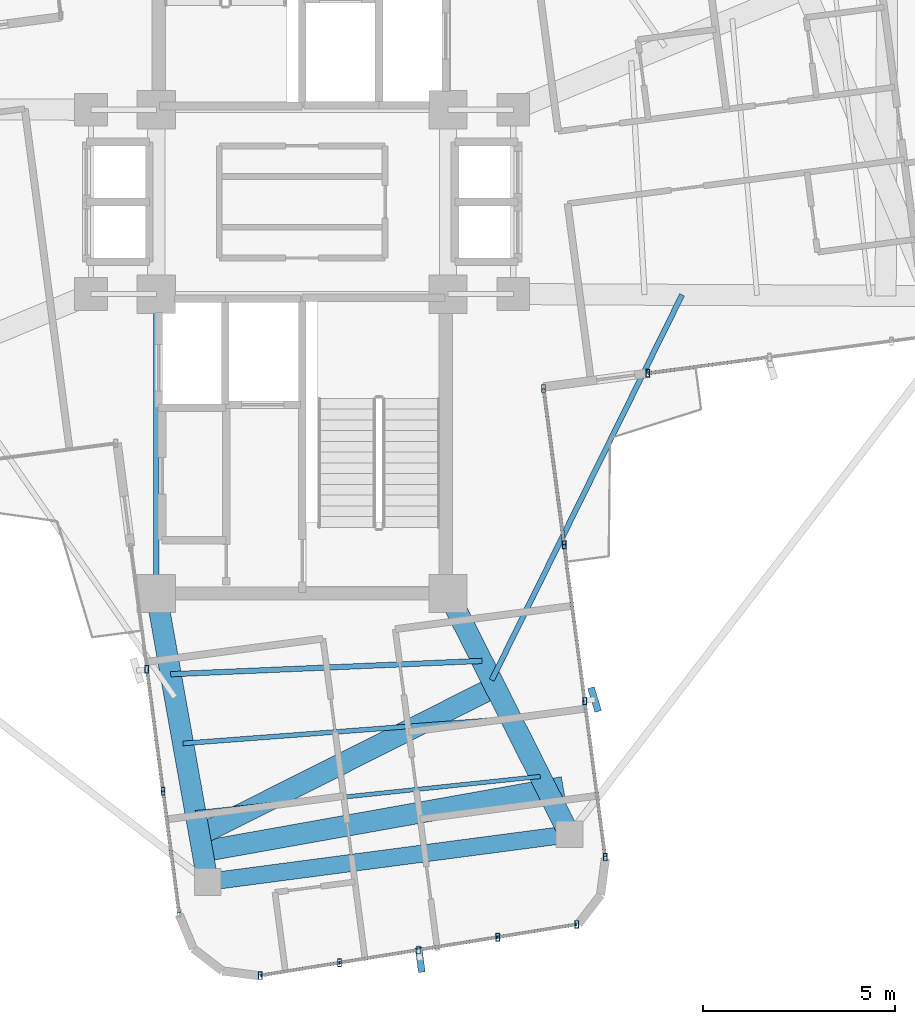
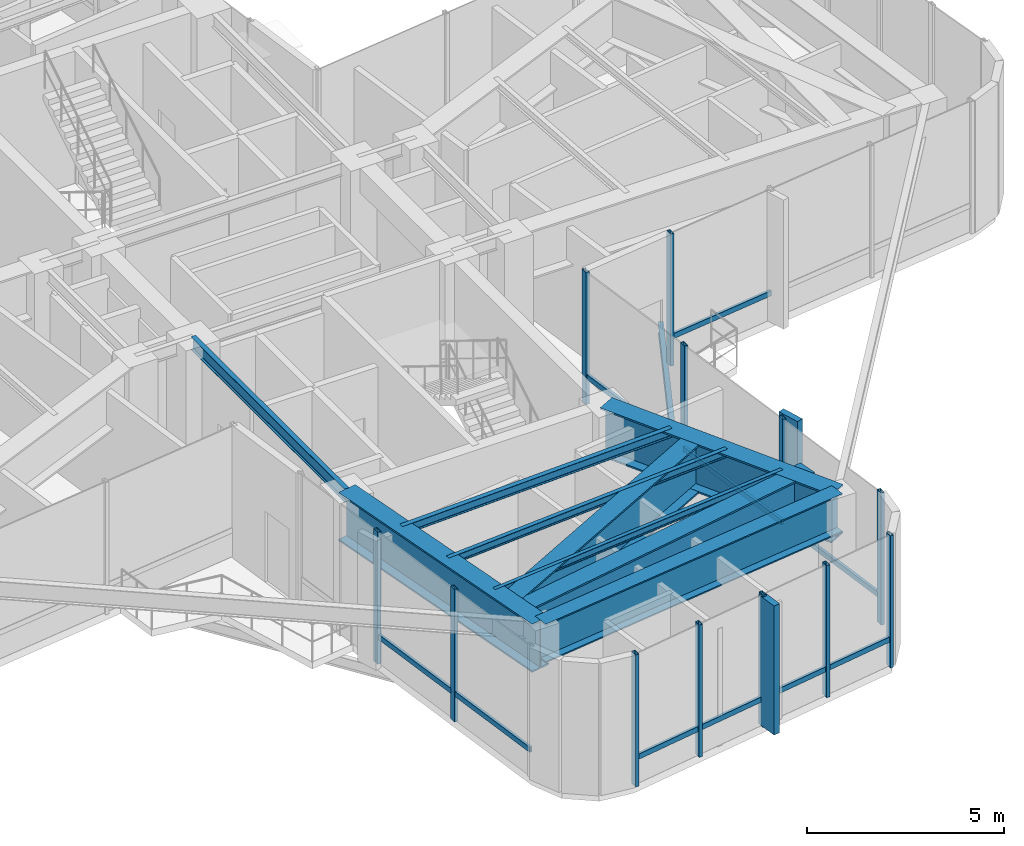
# One storey, part 3 of 18: 24 members, 10 beams, 4 elements without a shape of their own.
"""IFC4 building model written with IfcOpenShell, lengths in metres."""

from ifc_helpers import new_model, si_unit, direction, frame, origin, origin_2d, place, context, subcontext, project, spatial, rectangle, hollow_rectangle, i_section, extrude, source, transform, mapped, material, material_profile, profile_set, type_object, element, aggregate, save


model = new_model("IFC4")

# Units and contexts
model_context = context("Model", 3, precision=1e-05, world=origin(), true_north=direction((0.0, 1.0)))
body_context = subcontext(model_context, "Body", "Model", "MODEL_VIEW")
ifc_project = project(units=[si_unit("LENGTHUNIT", "METRE"), si_unit("AREAUNIT", "SQUARE_METRE"), si_unit("VOLUMEUNIT", "CUBIC_METRE"), si_unit("PLANEANGLEUNIT", "RADIAN"), si_unit("MASSUNIT", "GRAM", prefix="KILO")], contexts=[model_context])

# Site, building, storey
site_placement = place(None, origin())
site = spatial("IfcSite", under=ifc_project, at=site_placement, CompositionType="ELEMENT")
building_placement = place(site_placement, origin())
building = spatial("IfcBuilding", under=site, at=building_placement, Name="Sahyath Konkavel Grand Hotel", CompositionType="ELEMENT")
storey_placement = place(building_placement, frame((0.0, 0.0, 275.800048828125)))
storey = spatial("IfcBuildingStorey", under=building, at=storey_placement, Name="L77", CompositionType="ELEMENT", Elevation=275.800048828125)

# Beams
ifc_material_1 = material(Name="Steel E350", Category="steel")
ifc_material_profile_1 = material_profile(ifc_material_1, i_section(OverallWidth=0.139892578125, OverallDepth=0.39990234375, WebThickness=0.0087890625, FlangeThickness=0.01611328125, FilletRadius=0.013916015625, at=origin_2d()), Name="ISMB 400")
ifc_profile_set_1 = profile_set([ifc_material_profile_1], Name="Steel E350")
beam_type_1 = type_object("IfcBeamType", Name="BM-ISMB400", PredefinedType="BEAM", material=ifc_profile_set_1)
shared_shape_1 = source(origin(), body_context, "Body", "SweptSolid", [
    extrude(i_section(OverallWidth=0.139892578125, OverallDepth=0.39990234375, WebThickness=0.0087890625, FlangeThickness=0.01611328125, FilletRadius=0.013916015625, at=origin_2d()), origin(), (0.0, 0.0, 1.0), 7.800048828125),
])
beam_1_placement = place(storey_placement, frame((-3.800048828125, -10.199951171875, 3.89990234375), z_axis=(0.0, 1.0, 0.0), x_axis=(-1.0, 0.0, 0.0)))
element("IfcBeam", 1, at=beam_1_placement, inside=storey, type_object=beam_type_1, Name="str:bm:L77:SC-W", PredefinedType="BEAM", context=body_context, shape_type="MappedRepresentation", body=[
    mapped(shared_shape_1, transform((0.0, 0.0, 0.0), scale=1.0)),
])
ifc_material_profile_2 = material_profile(ifc_material_1, i_section(OverallWidth=0.139892578125, OverallDepth=0.27490234375, WebThickness=0.00634765625, FlangeThickness=0.0087890625, FilletRadius=0.012939453125, at=origin_2d()), Name="ISLB 275")
ifc_profile_set_2 = profile_set([ifc_material_profile_2], Name="Steel E350")
beam_type_2 = type_object("IfcBeamType", Name="BM-ISLB275", PredefinedType="BEAM", material=ifc_profile_set_2)
shared_shape_2 = source(origin(), body_context, "Body", "SweptSolid", [
    extrude(i_section(OverallWidth=0.139892578125, OverallDepth=0.27490234375, WebThickness=0.00634765625, FlangeThickness=0.0087890625, FilletRadius=0.012939453125, at=origin_2d()), origin(), (0.0, 0.0, 1.0), 8.11669921875),
])
beam_2_placement = place(storey_placement, frame((-3.424560546875, -12.303466796875, 3.96240234375), z_axis=(0.999084879956, 0.042771516718, 0.0), x_axis=(-0.042771516718, 0.999084879956, 0.0)))
element("IfcBeam", 2, at=beam_2_placement, inside=storey, type_object=beam_type_2, Name="L77 Secondary Floor Beam S-1", PredefinedType="BEAM", context=body_context, shape_type="MappedRepresentation", body=[
    mapped(shared_shape_2, transform((0.0, 0.0, 0.0), scale=1.0)),
])
ifc_material_profile_3 = material_profile(ifc_material_1, i_section(OverallWidth=0.125, OverallDepth=0.25, WebThickness=0.0068359375, FlangeThickness=0.012451171875, FilletRadius=0.012939453125, at=origin_2d()), Name="ISMB 250")
ifc_profile_set_3 = profile_set([ifc_material_profile_3], Name="Steel E350")
beam_type_3 = type_object("IfcBeamType", Name="BM-ISMB250", PredefinedType="BEAM", material=ifc_profile_set_3)
shared_shape_3 = source(origin(), body_context, "Body", "SweptSolid", [
    extrude(i_section(OverallWidth=0.125, OverallDepth=0.25, WebThickness=0.0068359375, FlangeThickness=0.012451171875, FilletRadius=0.012939453125, at=origin_2d()), origin(), (0.0, 0.0, 1.0), 8.570068359375),
])
beam_3_placement = place(storey_placement, frame((-3.102783203125, -14.1064453125, 3.974853515625), z_axis=(0.997165854664, 0.075234688098, 0.0), x_axis=(-0.075234688098, 0.997165854664, 0.0)))
element("IfcBeam", 3, at=beam_3_placement, inside=storey, type_object=beam_type_3, Name="L77 Secondary Floor Beam S-2", PredefinedType="BEAM", context=body_context, shape_type="MappedRepresentation", body=[
    mapped(shared_shape_3, transform((0.0, 0.0, 0.0), scale=1.0)),
])
ifc_material_profile_4 = material_profile(ifc_material_1, i_section(OverallWidth=0.110107421875, OverallDepth=0.22509765625, WebThickness=0.006591796875, FlangeThickness=0.01171875, FilletRadius=0.011962890625, at=origin_2d()), Name="ISMB 225")
ifc_profile_set_4 = profile_set([ifc_material_profile_4], Name="Steel E350")
beam_type_4 = type_object("IfcBeamType", Name="BM-ISMB225", PredefinedType="BEAM", material=ifc_profile_set_4)
shared_shape_4 = source(origin(), body_context, "Body", "SweptSolid", [
    extrude(i_section(OverallWidth=0.110107421875, OverallDepth=0.22509765625, WebThickness=0.006591796875, FlangeThickness=0.01171875, FilletRadius=0.011962890625, at=origin_2d()), origin(), (0.0, 0.0, 1.0), 9.03173828125),
])
beam_4_placement = place(storey_placement, frame((-2.781005859375, -15.909423828125, 3.987548828125), z_axis=(0.99454153435, 0.104341441688, 0.0), x_axis=(-0.104341441688, 0.99454153435, 0.0)))
element("IfcBeam", 4, at=beam_4_placement, inside=storey, type_object=beam_type_4, Name="L77 Secondary Floor Beam S-3", PredefinedType="BEAM", context=body_context, shape_type="MappedRepresentation", body=[
    mapped(shared_shape_4, transform((0.0, 0.0, 0.0), scale=1.0)),
])
ifc_material_2 = material(Name="Steel E450", Category="steel")
ifc_material_profile_5 = material_profile(ifc_material_2, i_section(OverallWidth=0.550048828125, OverallDepth=1.5, WebThickness=0.028076171875, FlangeThickness=0.050048828125, at=origin_2d()), Name="BPG 1500x550")
ifc_profile_set_5 = profile_set([ifc_material_profile_5], Name="Steel E450")
beam_type_5 = type_object("IfcBeamType", Name="BM-BPG1500", PredefinedType="BEAM", material=ifc_profile_set_5)
shared_shape_5 = source(origin(), body_context, "Body", "SweptSolid", [
    extrude(i_section(OverallWidth=0.550048828125, OverallDepth=1.5, WebThickness=0.028076171875, FlangeThickness=0.050048828125, at=origin_2d()), origin(), (0.0, 0.0, 1.0), 7.631103515625),
])
beam_5_placement = place(storey_placement, frame((-3.800048828125, -10.199951171875, 3.349853515625), z_axis=(0.175734167088, -0.984437658015, 0.0), x_axis=(0.984437658015, 0.175734167088, 0.0)))
element("IfcBeam", 5, at=beam_5_placement, inside=storey, type_object=beam_type_5, Name="L77 Setback Transfer Girder SA", PredefinedType="BEAM", context=body_context, shape_type="MappedRepresentation", body=[
    mapped(shared_shape_5, transform((0.0, 0.0, 0.0), scale=1.0)),
])
shared_shape_6 = source(origin(), body_context, "Body", "SweptSolid", [
    extrude(i_section(OverallWidth=0.550048828125, OverallDepth=1.5, WebThickness=0.028076171875, FlangeThickness=0.050048828125, at=origin_2d()), origin(), (0.0, 0.0, 1.0), 7.0234375),
])
beam_6_placement = place(storey_placement, frame((3.800048828125, -10.199951171875, 3.349853515625), z_axis=(0.449881274382, -0.893088371305, 0.0), x_axis=(0.893088371305, 0.449881274382, 0.0)))
element("IfcBeam", 6, at=beam_6_placement, inside=storey, type_object=beam_type_5, Name="L77 Setback Transfer Girder SB", PredefinedType="BEAM", context=body_context, shape_type="MappedRepresentation", body=[
    mapped(shared_shape_6, transform((0.0, 0.0, 0.0), scale=1.0)),
])
shared_shape_7 = source(origin(), body_context, "Body", "SweptSolid", [
    extrude(i_section(OverallWidth=0.550048828125, OverallDepth=1.5, WebThickness=0.028076171875, FlangeThickness=0.050048828125, at=origin_2d()), origin(), (0.0, 0.0, 1.0), 8.615478515625),
])
beam_7_placement = place(storey_placement, frame((-2.6767578125, -16.4931640625, 3.349853515625), z_axis=(0.893927898642, 0.44821078973, 0.0), x_axis=(-0.44821078973, 0.893927898642, 0.0)))
element("IfcBeam", 7, at=beam_7_placement, inside=storey, type_object=beam_type_5, Name="L77 Setback Cross Transfer Girder S-1", PredefinedType="BEAM", context=body_context, shape_type="MappedRepresentation", body=[
    mapped(shared_shape_7, transform((0.0, 0.0, 0.0), scale=1.0)),
])
shared_shape_8 = source(origin(), body_context, "Body", "SweptSolid", [
    extrude(i_section(OverallWidth=0.550048828125, OverallDepth=1.5, WebThickness=0.028076171875, FlangeThickness=0.050048828125, at=origin_2d()), origin(), (0.0, 0.0, 1.0), 9.546630859375),
])
beam_8_placement = place(storey_placement, frame((-2.600341796875, -16.920654296875, 3.349853515625), z_axis=(0.984441323242, 0.175713633771, 0.0), x_axis=(-0.175713633771, 0.984441323242, 0.0)))
element("IfcBeam", 8, at=beam_8_placement, inside=storey, type_object=beam_type_5, Name="L77 Setback Cross Transfer Girder S-2", PredefinedType="BEAM", context=body_context, shape_type="MappedRepresentation", body=[
    mapped(shared_shape_8, transform((0.0, 0.0, 0.0), scale=1.0)),
])
ifc_material_profile_6 = material_profile(ifc_material_2, i_section(OverallWidth=0.449951171875, OverallDepth=1.199951171875, WebThickness=0.02197265625, FlangeThickness=0.0400390625, at=origin_2d()), Name="BPG 1200x450")
ifc_profile_set_6 = profile_set([ifc_material_profile_6], Name="Steel E450")
beam_type_6 = type_object("IfcBeamType", Name="BM-BPG1200", PredefinedType="BEAM", material=ifc_profile_set_6)
shared_shape_9 = source(origin(), body_context, "Body", "SweptSolid", [
    extrude(i_section(OverallWidth=0.449951171875, OverallDepth=1.199951171875, WebThickness=0.02197265625, FlangeThickness=0.0400390625, at=origin_2d()), origin(), (0.0, 0.0, 1.0), 9.5),
])
beam_9_placement = place(storey_placement, frame((-2.458984375, -17.71240234375, 3.5), z_axis=(0.991444933556, 0.130525643939, 0.0), x_axis=(-0.130525643939, 0.991444933556, 0.0)))
element("IfcBeam", 9, at=beam_9_placement, inside=storey, type_object=beam_type_6, Name="L77 Wing Tip Edge Beam S", PredefinedType="BEAM", context=body_context, shape_type="MappedRepresentation", body=[
    mapped(shared_shape_9, transform((0.0, 0.0, 0.0), scale=1.0)),
])

# Curtain wall, member
ifc_material_3 = material(Name="Anodised Bronze Aluminium & Low-E Glazing", Category="aluminium")
curtain_wall_type = type_object("IfcCurtainWallType", Name="CW-ZONE4", PredefinedType="NOTDEFINED", material=ifc_material_3)
curtain_wall_1_placement = place(storey_placement, origin())
curtain_wall_1 = element("IfcCurtainWall", 10, at=curtain_wall_1_placement, inside=storey, type_object=curtain_wall_type, Name="L77 Unitised Curtain Wall F0", PredefinedType="NOTDEFINED")
ifc_material_4 = material(Name="Anodised Bronze Aluminium", Category="aluminium")
ifc_material_profile_7 = material_profile(ifc_material_4, hollow_rectangle(XDim=0.10009765625, YDim=0.199951171875, WallThickness=0.008056640625, at=origin_2d()), Name="RHS 200x100x8")
ifc_profile_set_7 = profile_set([ifc_material_profile_7], Name="Anodised Bronze Aluminium")
member_type_1 = type_object("IfcMemberType", Name="CW-MUL-200", PredefinedType="MULLION", material=ifc_profile_set_7)
shared_shape_10 = source(origin(), body_context, "Body", "SweptSolid", [
    extrude(hollow_rectangle(XDim=0.10009765625, YDim=0.199951171875, WallThickness=0.008056640625, at=origin_2d()), origin(), (0.0, 0.0, 1.0), 4.099853515625),
])
member_1_placement = place(storey_placement, frame((8.99951171875, -4.46337890625, 0.0), z_axis=(0.0, 0.0, 1.0), x_axis=(1.0, 0.0, 0.0)))
member_1 = element("IfcMember", 11, at=member_1_placement, type_object=member_type_1, Name="L77 Curtain Wall Mullion F0-0", PredefinedType="MULLION", context=body_context, shape_type="MappedRepresentation", body=[
    mapped(shared_shape_10, transform((0.0, 0.0, 0.0), scale=1.0)),
])

# Curtain wall, members
curtain_wall_2_placement = place(storey_placement, origin())
curtain_wall_2 = element("IfcCurtainWall", 12, at=curtain_wall_2_placement, inside=storey, type_object=curtain_wall_type, Name="L77 Unitised Curtain Wall F24", PredefinedType="NOTDEFINED")
member_2_placement = place(storey_placement, frame((-4.04541015625, -12.175537109375, 0.0), z_axis=(0.0, 0.0, 1.0), x_axis=(1.0, 0.0, 0.0)))
member_2 = element("IfcMember", 13, at=member_2_placement, type_object=member_type_1, Name="L77 Curtain Wall Mullion F24-1", PredefinedType="MULLION", context=body_context, shape_type="MappedRepresentation", body=[
    mapped(shared_shape_10, transform((0.0, 0.0, 0.0), scale=1.0)),
])
member_3_placement = place(storey_placement, frame((-3.627197265625, -15.351318359375, 0.0), z_axis=(0.0, 0.0, 1.0), x_axis=(1.0, 0.0, 0.0)))
member_3 = element("IfcMember", 14, at=member_3_placement, type_object=member_type_1, Name="L77 Curtain Wall Mullion F24-2", PredefinedType="MULLION", context=body_context, shape_type="MappedRepresentation", body=[
    mapped(shared_shape_10, transform((0.0, 0.0, 0.0), scale=1.0)),
])

curtain_wall_3_placement = place(storey_placement, origin())
curtain_wall_3 = element("IfcCurtainWall", 15, at=curtain_wall_3_placement, inside=storey, type_object=curtain_wall_type, Name="L77 Unitised Curtain Wall F28", PredefinedType="NOTDEFINED")
member_4_placement = place(storey_placement, frame((-1.0888671875, -20.1533203125, 0.0), z_axis=(0.0, 0.0, 1.0), x_axis=(1.0, 0.0, 0.0)))
member_4 = element("IfcMember", 16, at=member_4_placement, type_object=member_type_1, Name="L77 Curtain Wall Mullion F28-0", PredefinedType="MULLION", context=body_context, shape_type="MappedRepresentation", body=[
    mapped(shared_shape_10, transform((0.0, 0.0, 0.0), scale=1.0)),
])
member_5_placement = place(storey_placement, frame((0.9716796875, -19.8203125, 0.0), z_axis=(0.0, 0.0, 1.0), x_axis=(1.0, 0.0, 0.0)))
member_5 = element("IfcMember", 17, at=member_5_placement, type_object=member_type_1, Name="L77 Curtain Wall Mullion F28-1", PredefinedType="MULLION", context=body_context, shape_type="MappedRepresentation", body=[
    mapped(shared_shape_10, transform((0.0, 0.0, 0.0), scale=1.0)),
])
member_6_placement = place(storey_placement, frame((3.031982421875, -19.487060546875, 0.0), z_axis=(0.0, 0.0, 1.0), x_axis=(1.0, 0.0, 0.0)))
member_6 = element("IfcMember", 18, at=member_6_placement, type_object=member_type_1, Name="L77 Curtain Wall Mullion F28-2", PredefinedType="MULLION", context=body_context, shape_type="MappedRepresentation", body=[
    mapped(shared_shape_10, transform((0.0, 0.0, 0.0), scale=1.0)),
])
member_7_placement = place(storey_placement, frame((5.09228515625, -19.15380859375, 0.0), z_axis=(0.0, 0.0, 1.0), x_axis=(1.0, 0.0, 0.0)))
member_7 = element("IfcMember", 19, at=member_7_placement, type_object=member_type_1, Name="L77 Curtain Wall Mullion F28-3", PredefinedType="MULLION", context=body_context, shape_type="MappedRepresentation", body=[
    mapped(shared_shape_10, transform((0.0, 0.0, 0.0), scale=1.0)),
])
member_8_placement = place(storey_placement, frame((7.15283203125, -18.82080078125, 0.0), z_axis=(0.0, 0.0, 1.0), x_axis=(1.0, 0.0, 0.0)))
member_8 = element("IfcMember", 20, at=member_8_placement, type_object=member_type_1, Name="L77 Curtain Wall Mullion F28-4", PredefinedType="MULLION", context=body_context, shape_type="MappedRepresentation", body=[
    mapped(shared_shape_10, transform((0.0, 0.0, 0.0), scale=1.0)),
])

curtain_wall_4_placement = place(storey_placement, origin())
curtain_wall_4 = element("IfcCurtainWall", 21, at=curtain_wall_4_placement, inside=storey, type_object=curtain_wall_type, Name="L77 Unitised Curtain Wall F31", PredefinedType="NOTDEFINED")
member_9_placement = place(storey_placement, frame((7.89501953125, -17.0654296875, 0.0), z_axis=(0.0, 0.0, 1.0), x_axis=(1.0, 0.0, 0.0)))
member_9 = element("IfcMember", 22, at=member_9_placement, type_object=member_type_1, Name="L77 Curtain Wall Mullion F31-0", PredefinedType="MULLION", context=body_context, shape_type="MappedRepresentation", body=[
    mapped(shared_shape_10, transform((0.0, 0.0, 0.0), scale=1.0)),
])
member_10_placement = place(storey_placement, frame((7.359619140625, -12.997314453125, 0.0), z_axis=(0.0, 0.0, 1.0), x_axis=(1.0, 0.0, 0.0)))
member_10 = element("IfcMember", 23, at=member_10_placement, type_object=member_type_1, Name="L77 Curtain Wall Mullion F31-1", PredefinedType="MULLION", context=body_context, shape_type="MappedRepresentation", body=[
    mapped(shared_shape_10, transform((0.0, 0.0, 0.0), scale=1.0)),
])
member_11_placement = place(storey_placement, frame((6.82373046875, -8.928955078125, 0.0), z_axis=(0.0, 0.0, 1.0), x_axis=(1.0, 0.0, 0.0)))
member_11 = element("IfcMember", 24, at=member_11_placement, type_object=member_type_1, Name="L77 Curtain Wall Mullion F31-2", PredefinedType="MULLION", context=body_context, shape_type="MappedRepresentation", body=[
    mapped(shared_shape_10, transform((0.0, 0.0, 0.0), scale=1.0)),
])
member_12_placement = place(storey_placement, frame((6.2880859375, -4.86083984375, 0.0), z_axis=(0.0, 0.0, 1.0), x_axis=(1.0, 0.0, 0.0)))
member_12 = element("IfcMember", 25, at=member_12_placement, type_object=member_type_1, Name="L77 Curtain Wall Mullion F31-3", PredefinedType="MULLION", context=body_context, shape_type="MappedRepresentation", body=[
    mapped(shared_shape_10, transform((0.0, 0.0, 0.0), scale=1.0)),
])

# Member
ifc_material_5 = material(Name="Warm Buff Sandstone Cladding on Concrete C50/60", Category="masonry")
ifc_material_profile_8 = material_profile(ifc_material_5, rectangle(XDim=0.179931640625, YDim=0.64990234375, at=origin_2d()), Name="FIN 180x650")
ifc_profile_set_8 = profile_set([ifc_material_profile_8], Name="Warm Buff Sandstone Cladding on Concrete C50/60")
member_type_2 = type_object("IfcMemberType", Name="FIN-SANDSTONE-650", PredefinedType="MULLION", material=ifc_profile_set_8)
shared_shape_11 = source(origin(), body_context, "Body", "SweptSolid", [
    extrude(rectangle(XDim=0.179931640625, YDim=0.64990234375, at=origin_2d()), origin(), (0.0, 0.0, 1.0), 4.0),
])
member_13_placement = place(storey_placement, frame((3.073486328125, -19.74365234375, 0.050048828125), z_axis=(0.0, 0.0, 1.0), x_axis=(0.991076498214, 0.133294316036, 0.0)))
member_13 = element("IfcMember", 26, at=member_13_placement, type_object=member_type_2, Name="L77 Sandstone Vertical Solar Fin FIN F28-2", PredefinedType="MULLION", context=body_context, shape_type="MappedRepresentation", body=[
    mapped(shared_shape_11, transform((0.0, 0.0, 0.0), scale=1.0)),
])

member_14_placement = place(storey_placement, frame((7.6171875, -12.96337890625, 0.050048828125), z_axis=(0.0, 0.0, 1.0), x_axis=(0.956610402488, 0.291370104596, 0.0)))
member_14 = element("IfcMember", 27, at=member_14_placement, type_object=member_type_2, Name="L77 Sandstone Vertical Solar Fin FIN F31-1", PredefinedType="MULLION", context=body_context, shape_type="MappedRepresentation", body=[
    mapped(shared_shape_11, transform((0.0, 0.0, 0.0), scale=1.0)),
])

ifc_material_profile_9 = material_profile(ifc_material_4, hollow_rectangle(XDim=0.080078125, YDim=0.159912109375, WallThickness=0.006103515625, at=origin_2d()), Name="RHS 160x80x6")
ifc_profile_set_9 = profile_set([ifc_material_profile_9], Name="Anodised Bronze Aluminium")
member_type_3 = type_object("IfcMemberType", Name="CW-TRN-160", PredefinedType="USERDEFINED", material=ifc_profile_set_9)
shared_shape_12 = source(origin(), body_context, "Body", "SweptSolid", [
    extrude(hollow_rectangle(XDim=0.080078125, YDim=0.159912109375, WallThickness=0.006103515625, at=origin_2d()), origin(), (0.0, 0.0, 1.0), 3.203369140625),
])
member_15_placement = place(storey_placement, frame((8.99951171875, -4.46337890625, 0.849853515625), z_axis=(0.991451441867, 0.130476198668, 0.0), x_axis=(-0.130476198668, 0.991451441867, 0.0)))
member_15 = element("IfcMember", 28, at=member_15_placement, type_object=member_type_3, Name="L77 Curtain Wall Transom F0-0-spandrel", ObjectType="TRANSOM", PredefinedType="USERDEFINED", context=body_context, shape_type="MappedRepresentation", body=[
    mapped(shared_shape_12, transform((0.0, 0.0, 0.0), scale=1.0)),
])

aggregate(curtain_wall_1, [member_1, member_15])

member_16_placement = place(storey_placement, frame((-3.627197265625, -15.351318359375, 0.849853515625), z_axis=(0.130551112835, -0.991441580194, 0.0), x_axis=(0.991441580194, 0.130551112835, 0.0)))
member_16 = element("IfcMember", 29, at=member_16_placement, type_object=member_type_3, Name="L77 Curtain Wall Transom F24-2-spandrel", ObjectType="TRANSOM", PredefinedType="USERDEFINED", context=body_context, shape_type="MappedRepresentation", body=[
    mapped(shared_shape_12, transform((0.0, 0.0, 0.0), scale=1.0)),
])

shared_shape_13 = source(origin(), body_context, "Body", "SweptSolid", [
    extrude(hollow_rectangle(XDim=0.080078125, YDim=0.159912109375, WallThickness=0.006103515625, at=origin_2d()), origin(), (0.0, 0.0, 1.0), 3.203125),
])
member_17_placement = place(storey_placement, frame((-4.04541015625, -12.175537109375, 0.849853515625), z_axis=(0.13056097798, -0.991440281121, 0.0), x_axis=(0.991440281121, 0.13056097798, 0.0)))
member_17 = element("IfcMember", 30, at=member_17_placement, type_object=member_type_3, Name="L77 Curtain Wall Transom F24-1-spandrel", ObjectType="TRANSOM", PredefinedType="USERDEFINED", context=body_context, shape_type="MappedRepresentation", body=[
    mapped(shared_shape_13, transform((0.0, 0.0, 0.0), scale=1.0)),
])

aggregate(curtain_wall_2, [member_2, member_3, member_17, member_16])

shared_shape_14 = source(origin(), body_context, "Body", "SweptSolid", [
    extrude(hollow_rectangle(XDim=0.080078125, YDim=0.159912109375, WallThickness=0.006103515625, at=origin_2d()), origin(), (0.0, 0.0, 1.0), 2.08740234375),
])
member_18_placement = place(storey_placement, frame((-1.0888671875, -20.1533203125, 0.849853515625), z_axis=(0.98719124923, 0.159541334591, 0.0), x_axis=(-0.159541334591, 0.98719124923, 0.0)))
member_18 = element("IfcMember", 31, at=member_18_placement, type_object=member_type_3, Name="L77 Curtain Wall Transom F28-0-spandrel", ObjectType="TRANSOM", PredefinedType="USERDEFINED", context=body_context, shape_type="MappedRepresentation", body=[
    mapped(shared_shape_14, transform((0.0, 0.0, 0.0), scale=1.0)),
])

member_19_placement = place(storey_placement, frame((5.09228515625, -19.15380859375, 0.849853515625), z_axis=(0.98719124923, 0.159541334591, 0.0), x_axis=(-0.159541334591, 0.98719124923, 0.0)))
member_19 = element("IfcMember", 32, at=member_19_placement, type_object=member_type_3, Name="L77 Curtain Wall Transom F28-3-spandrel", ObjectType="TRANSOM", PredefinedType="USERDEFINED", context=body_context, shape_type="MappedRepresentation", body=[
    mapped(shared_shape_14, transform((0.0, 0.0, 0.0), scale=1.0)),
])

shared_shape_15 = source(origin(), body_context, "Body", "SweptSolid", [
    extrude(hollow_rectangle(XDim=0.080078125, YDim=0.159912109375, WallThickness=0.006103515625, at=origin_2d()), origin(), (0.0, 0.0, 1.0), 2.087158203125),
])
member_20_placement = place(storey_placement, frame((0.9716796875, -19.8203125, 0.849853515625), z_axis=(0.98716983924, 0.159673756436, 0.0), x_axis=(-0.159673756436, 0.98716983924, 0.0)))
member_20 = element("IfcMember", 33, at=member_20_placement, type_object=member_type_3, Name="L77 Curtain Wall Transom F28-1-spandrel", ObjectType="TRANSOM", PredefinedType="USERDEFINED", context=body_context, shape_type="MappedRepresentation", body=[
    mapped(shared_shape_15, transform((0.0, 0.0, 0.0), scale=1.0)),
])

member_21_placement = place(storey_placement, frame((3.031982421875, -19.487060546875, 0.849853515625), z_axis=(0.98716983924, 0.159673756436, 0.0), x_axis=(-0.159673756436, 0.98716983924, 0.0)))
member_21 = element("IfcMember", 34, at=member_21_placement, type_object=member_type_3, Name="L77 Curtain Wall Transom F28-2-spandrel", ObjectType="TRANSOM", PredefinedType="USERDEFINED", context=body_context, shape_type="MappedRepresentation", body=[
    mapped(shared_shape_15, transform((0.0, 0.0, 0.0), scale=1.0)),
])

aggregate(curtain_wall_3, [member_4, member_5, member_6, member_13, member_7, member_8, member_18, member_20, member_21, member_19])

shared_shape_16 = source(origin(), body_context, "Body", "SweptSolid", [
    extrude(hollow_rectangle(XDim=0.080078125, YDim=0.159912109375, WallThickness=0.006103515625, at=origin_2d()), origin(), (0.0, 0.0, 1.0), 4.103271484375),
])
member_22_placement = place(storey_placement, frame((7.89501953125, -17.0654296875, 0.849853515625), z_axis=(-0.130483756275, 0.991450447248, 0.0), x_axis=(-0.991450447248, -0.130483756275, 0.0)))
member_22 = element("IfcMember", 35, at=member_22_placement, type_object=member_type_3, Name="L77 Curtain Wall Transom F31-0-spandrel", ObjectType="TRANSOM", PredefinedType="USERDEFINED", context=body_context, shape_type="MappedRepresentation", body=[
    mapped(shared_shape_16, transform((0.0, 0.0, 0.0), scale=1.0)),
])

member_23_placement = place(storey_placement, frame((6.82373046875, -8.928955078125, 0.849853515625), z_axis=(-0.130542242661, 0.991442748161, 0.0), x_axis=(-0.991442748161, -0.130542242661, 0.0)))
member_23 = element("IfcMember", 36, at=member_23_placement, type_object=member_type_3, Name="L77 Curtain Wall Transom F31-2-spandrel", ObjectType="TRANSOM", PredefinedType="USERDEFINED", context=body_context, shape_type="MappedRepresentation", body=[
    mapped(shared_shape_16, transform((0.0, 0.0, 0.0), scale=1.0)),
])

shared_shape_17 = source(origin(), body_context, "Body", "SweptSolid", [
    extrude(hollow_rectangle(XDim=0.080078125, YDim=0.159912109375, WallThickness=0.006103515625, at=origin_2d()), origin(), (0.0, 0.0, 1.0), 4.103515625),
])
member_24_placement = place(storey_placement, frame((7.359619140625, -12.997314453125, 0.849853515625), z_axis=(-0.130593024052, 0.991436060505, 0.0), x_axis=(-0.991436060505, -0.130593024052, 0.0)))
member_24 = element("IfcMember", 37, at=member_24_placement, type_object=member_type_3, Name="L77 Curtain Wall Transom F31-1-spandrel", ObjectType="TRANSOM", PredefinedType="USERDEFINED", context=body_context, shape_type="MappedRepresentation", body=[
    mapped(shared_shape_17, transform((0.0, 0.0, 0.0), scale=1.0)),
])

aggregate(curtain_wall_4, [member_9, member_10, member_14, member_11, member_12, member_22, member_24, member_23])

# Beam
ifc_material_profile_10 = material_profile(ifc_material_1, i_section(OverallWidth=0.139892578125, OverallDepth=0.35009765625, WebThickness=0.008056640625, FlangeThickness=0.01416015625, FilletRadius=0.013916015625, at=origin_2d()), Name="ISMB 350")
ifc_profile_set_10 = profile_set([ifc_material_profile_10], Name="Steel E350")
beam_type_7 = type_object("IfcBeamType", Name="BM-BALC-CANT", PredefinedType="BEAM", material=ifc_profile_set_10)
shared_shape_18 = source(origin(), body_context, "Body", "SweptSolid", [
    extrude(i_section(OverallWidth=0.139892578125, OverallDepth=0.35009765625, WebThickness=0.008056640625, FlangeThickness=0.01416015625, FilletRadius=0.013916015625, at=origin_2d()), origin(), (0.0, 0.0, 1.0), 11.19482421875),
])
beam_10_placement = place(storey_placement, frame((4.9375, -12.4580078125, -0.4150390625), z_axis=(0.442969049107, 0.896536904725, 0.0), x_axis=(-0.896536904725, 0.442969049107, 0.0)))
element("IfcBeam", 38, at=beam_10_placement, inside=storey, type_object=beam_type_7, Name="L77 Balcony Cantilever Support Beam SE", PredefinedType="BEAM", context=body_context, shape_type="MappedRepresentation", body=[
    mapped(shared_shape_18, transform((0.0, 0.0, 0.0), scale=1.0)),
])

save(model, "model.ifc")
